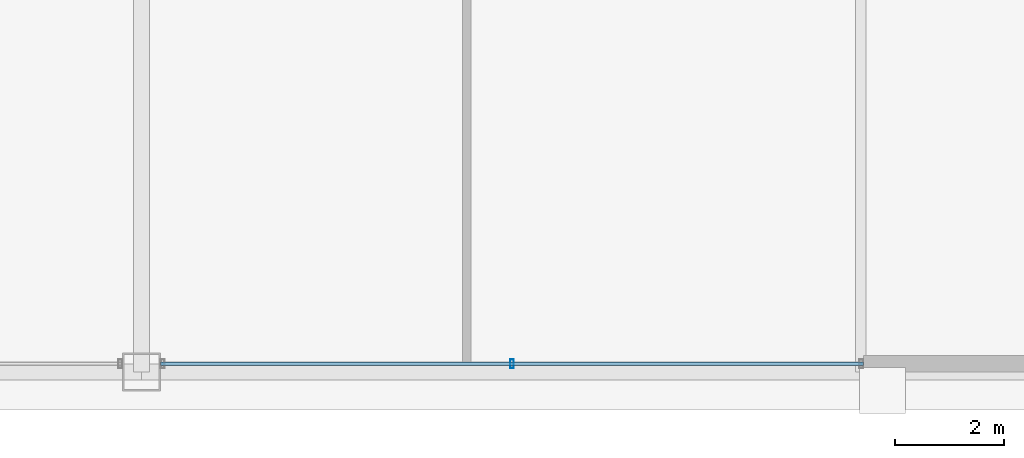
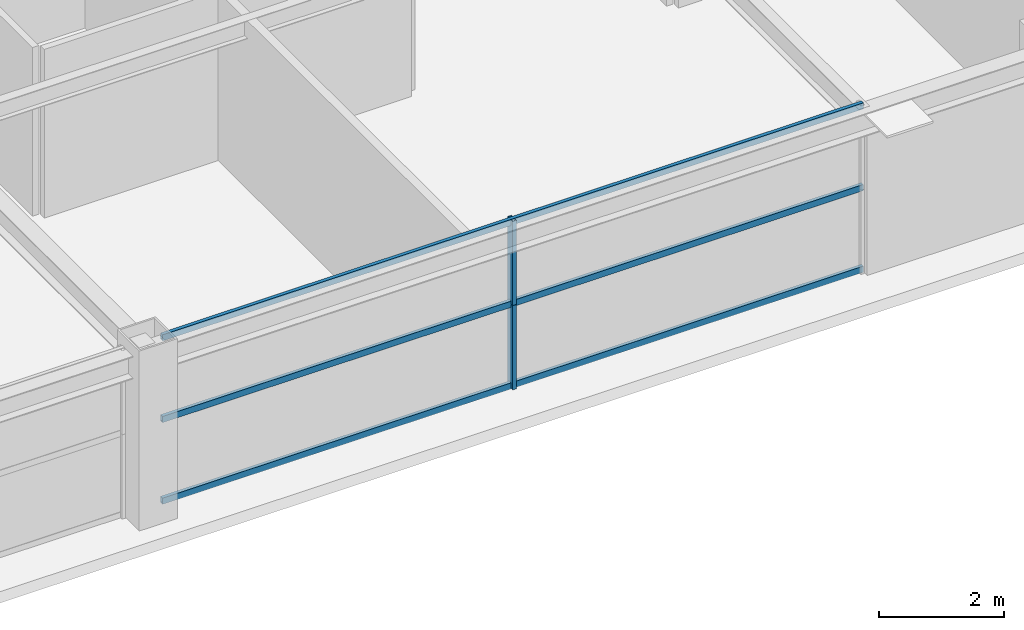
# One storey, part 12 of 37: 5 members, 1 element without a shape of its own.
"""IFC4 building model written with IfcOpenShell, lengths in metres."""

from ifc_helpers import new_model, si_unit, direction, frame, origin, origin_2d, place, context, subcontext, project, spatial, hollow_rectangle, extrude, source, transform, mapped, material, layer, layer_set, material_profile, profile_set, type_object, element, aggregate, save


model = new_model("IFC4")

# Units and contexts
model_context = context("Model", 3, precision=1e-05, world=origin(), true_north=direction((0.0, 1.0)))
body_context = subcontext(model_context, "Body", "Model", "MODEL_VIEW")
ifc_project = project(units=[si_unit("LENGTHUNIT", "METRE"), si_unit("AREAUNIT", "SQUARE_METRE"), si_unit("VOLUMEUNIT", "CUBIC_METRE"), si_unit("PLANEANGLEUNIT", "RADIAN"), si_unit("MASSUNIT", "GRAM", prefix="KILO"), si_unit("THERMODYNAMICTEMPERATUREUNIT", "KELVIN"), si_unit("POWERUNIT", "WATT")], contexts=[model_context])

# Site, building, storey
site_placement = place(None, origin())
site = spatial("IfcSite", under=ifc_project, at=site_placement, CompositionType="ELEMENT")
building_placement = place(site_placement, origin())
building = spatial("IfcBuilding", under=site, at=building_placement, Name="Yuzanri Waterfront Tower", CompositionType="ELEMENT")
storey_placement = place(building_placement, frame((0.0, 0.0, 268.10009765625)))
storey = spatial("IfcBuildingStorey", under=building, at=storey_placement, Name="L71", CompositionType="ELEMENT", Elevation=268.10009765625)

# Curtain wall, members
ifc_material_1 = material(Name="Anodized Architectural Bronze", Category="metal")
ifc_layer = layer(ifc_material_1, 0.159912109375)
ifc_layer_set = layer_set([ifc_layer], Name="Anodized Architectural Bronze")
curtain_wall_type = type_object("IfcCurtainWallType", Name="Anodized Bronze Mid-Rise Residential Acoustic Unitized Curtain Wall 7200", PredefinedType="NOTDEFINED", material=ifc_layer_set)
curtain_wall_placement = place(storey_placement, origin())
curtain_wall = element("IfcCurtainWall", 1, at=curtain_wall_placement, inside=storey, type_object=curtain_wall_type, Name="L71 Curtain Wall CW-L71-SR", PredefinedType="NOTDEFINED")
ifc_material_2 = material(Name="Anodized Architectural Bronze", Category="metal")
ifc_material_profile_1 = material_profile(ifc_material_2, hollow_rectangle(XDim=0.06494140625, YDim=0.159912109375, WallThickness=0.00341796875, at=origin_2d()), Name="CWM 65x160")
ifc_profile_set_1 = profile_set([ifc_material_profile_1], Name="Anodized Architectural Bronze")
member_type_1 = type_object("IfcMemberType", Name="Anodized Bronze Upper-Zone Curtain-Wall Mullion 65x160", PredefinedType="MULLION", material=ifc_profile_set_1)
shared_shape_1 = source(origin(), body_context, "Body", "SweptSolid", [
    extrude(hollow_rectangle(XDim=0.06494140625, YDim=0.159912109375, WallThickness=0.00341796875, at=origin_2d()), origin(), (0.0, 0.0, 1.0), 1.637939453125),
])
member_1_placement = place(storey_placement, frame((43.800048828125, 5.35009765625, 0.0), z_axis=(0.0, 0.0, 1.0), x_axis=(1.0, 0.0, 0.0)))
member_1 = element("IfcMember", 2, at=member_1_placement, type_object=member_type_1, Name="CW-L71-SR Lower Mullion 01", PredefinedType="MULLION", context=body_context, shape_type="MappedRepresentation", body=[
    mapped(shared_shape_1, transform((0.0, 0.0, 0.0), scale=1.0)),
])
member_2_placement = place(storey_placement, frame((43.800048828125, 5.35009765625, 1.641845703125), z_axis=(0.0, 0.0, 1.0), x_axis=(1.0, 0.0, 0.0)))
member_2 = element("IfcMember", 3, at=member_2_placement, type_object=member_type_1, Name="CW-L71-SR Upper Mullion 01", PredefinedType="MULLION", context=body_context, shape_type="MappedRepresentation", body=[
    mapped(shared_shape_1, transform((0.0, 0.0, 0.0), scale=1.0)),
])
ifc_material_3 = material(Name="Anodized Architectural Bronze", Category="metal")
ifc_material_profile_2 = material_profile(ifc_material_3, hollow_rectangle(XDim=0.06494140625, YDim=0.1201171875, WallThickness=0.00341796875, at=origin_2d()), Name="CWT 65x120")
ifc_profile_set_2 = profile_set([ifc_material_profile_2], Name="Anodized Architectural Bronze")
member_type_2 = type_object("IfcMemberType", Name="Anodized Bronze Secondary Curtain-Wall Transom 65x120", PredefinedType="USERDEFINED", material=ifc_profile_set_2)
shared_shape_2 = source(origin(), body_context, "Body", "SweptSolid", [
    extrude(hollow_rectangle(XDim=0.06494140625, YDim=0.1201171875, WallThickness=0.00341796875, at=origin_2d()), origin(), (0.0, 0.0, 1.0), 12.89990234375),
])
member_3_placement = place(storey_placement, frame((37.35009765625, 5.35009765625, 0.0498046875), z_axis=(1.0, 0.0, 0.0), x_axis=(0.0, 1.0, 0.0)))
member_3 = element("IfcMember", 4, at=member_3_placement, type_object=member_type_2, Name="CW-L71-SR Transom 1", ObjectType="TRANSOM", PredefinedType="USERDEFINED", context=body_context, shape_type="MappedRepresentation", body=[
    mapped(shared_shape_2, transform((0.0, 0.0, 0.0), scale=1.0)),
])
member_4_placement = place(storey_placement, frame((37.35009765625, 5.35009765625, 1.639892578125), z_axis=(1.0, 0.0, 0.0), x_axis=(0.0, 1.0, 0.0)))
member_4 = element("IfcMember", 5, at=member_4_placement, type_object=member_type_2, Name="CW-L71-SR Transom 2", ObjectType="TRANSOM", PredefinedType="USERDEFINED", context=body_context, shape_type="MappedRepresentation", body=[
    mapped(shared_shape_2, transform((0.0, 0.0, 0.0), scale=1.0)),
])
member_5_placement = place(storey_placement, frame((37.35009765625, 5.35009765625, 3.22998046875), z_axis=(1.0, 0.0, 0.0), x_axis=(0.0, 1.0, 0.0)))
member_5 = element("IfcMember", 6, at=member_5_placement, type_object=member_type_2, Name="CW-L71-SR Transom 3", ObjectType="TRANSOM", PredefinedType="USERDEFINED", context=body_context, shape_type="MappedRepresentation", body=[
    mapped(shared_shape_2, transform((0.0, 0.0, 0.0), scale=1.0)),
])
aggregate(curtain_wall, [member_1, member_2, member_3, member_4, member_5])

save(model, "model.ifc")
